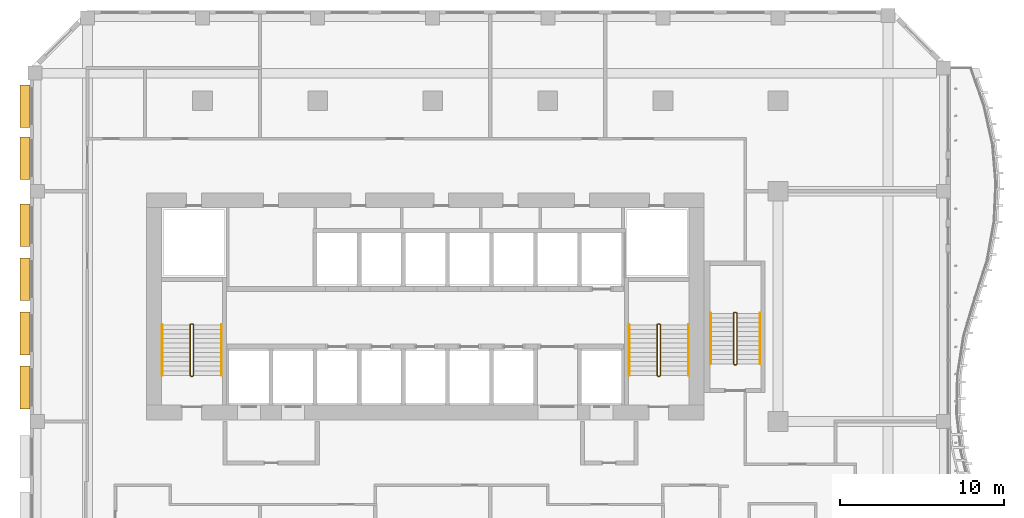
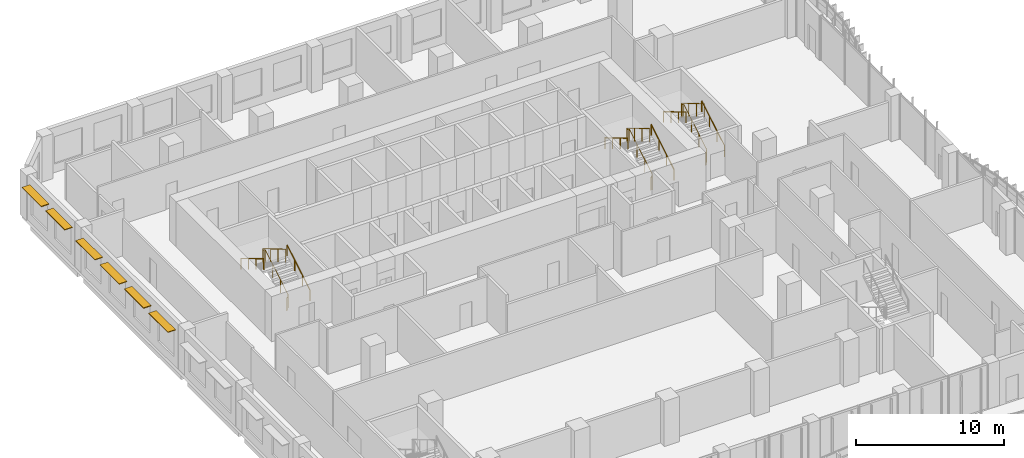
# One storey, part 24 of 25: 9 railings, 6 shading devices.
"""IFC4 building model written with IfcOpenShell, lengths in metres."""

from ifc_helpers import new_model, si_unit, direction, frame, origin, origin_2d, place, context, subcontext, project, spatial, rectangle, circle, extrude, source, transform, mapped, material, layer, layer_set, type_object, element, save


model = new_model("IFC4")

# Units and contexts
model_context = context("Model", 3, precision=1e-05, world=origin(), true_north=direction((0.0, 1.0)))
body_context = subcontext(model_context, "Body", "Model", "MODEL_VIEW")
ifc_project = project(units=[si_unit("LENGTHUNIT", "METRE"), si_unit("AREAUNIT", "SQUARE_METRE"), si_unit("VOLUMEUNIT", "CUBIC_METRE"), si_unit("PLANEANGLEUNIT", "RADIAN"), si_unit("MASSUNIT", "GRAM", prefix="KILO")], contexts=[model_context])

# Site, building, storey
site_placement = place(None, origin())
site = spatial("IfcSite", under=ifc_project, at=site_placement, CompositionType="ELEMENT")
building_placement = place(site_placement, origin())
building = spatial("IfcBuilding", under=site, at=building_placement, Name="Kilnfold Tower and Market Hall", CompositionType="ELEMENT")
storey_placement = place(building_placement, frame((0.0, 0.0, 120.60009765625)))
storey = spatial("IfcBuildingStorey", under=building, at=storey_placement, Name="L28", CompositionType="ELEMENT", Elevation=120.60009765625)

# Railings
ifc_material_1 = material(Name="Stainless steel 316", Category="steel")
railing_type_1 = type_object("IfcRailingType", Name="CORE STAIR GUARD 1100", PredefinedType="GUARDRAIL", material=ifc_material_1)
railing_1_placement = place(storey_placement, frame((-13.199951171875, 10.75, 0.0)))
element("IfcRailing", 1, at=railing_1_placement, inside=storey, type_object=railing_type_1, Name="L28 ST1 stair guard 1", PredefinedType="GUARDRAIL", context=body_context, shape_type="SweptSolid", body=[
    extrude(circle(Radius=0.02392578125, at=origin_2d()), frame((0.0, 0.0, 1.076171875), z_axis=(1.0, 0.0, 0.0), x_axis=(0.0, 1.0, 0.0)), (0.0, 0.0, 1.0), 0.099853515625),
    extrude(circle(Radius=0.02392578125, at=origin_2d()), frame((0.099853515625, 0.0, 1.076171875), z_axis=(0.27662974545, 0.27662974545, 0.920299933644), x_axis=(-0.707106781187, 0.707106781187, 0.0)), (0.0, 0.0, 1.0), 0.180908203125),
    extrude(circle(Radius=0.02392578125, at=origin_2d()), frame((0.14990234375, 0.050048828125, 1.24267578125), z_axis=(0.0, 0.859260807169, 0.511537745687), x_axis=(-1.0, 0.0, 0.0)), (0.0, 0.0, 1.0), 3.584228515625),
    extrude(circle(Radius=0.02392578125, at=origin_2d()), frame((0.14990234375, 3.1298828125, 3.076171875), z_axis=(-0.707106781187, 0.707106781187, 0.0), x_axis=(-0.707106781187, -0.707106781187, 0.0)), (0.0, 0.0, 1.0), 0.07080078125),
    extrude(circle(Radius=0.02392578125, at=origin_2d()), frame((0.099853515625, 3.179931640625, 3.076171875), z_axis=(-1.0, 0.0, 0.0), x_axis=(0.0, -1.0, 0.0)), (0.0, 0.0, 1.0), 0.099853515625),
    extrude(circle(Radius=0.02392578125, at=origin_2d()), frame((0.0, 3.179931640625, 3.076171875), z_axis=(-0.27662974545, -0.27662974545, 0.920299933644), x_axis=(0.707106781187, -0.707106781187, 0.0)), (0.0, 0.0, 1.0), 0.180908203125),
    extrude(circle(Radius=0.02392578125, at=origin_2d()), frame((-0.050048828125, 3.1298828125, 3.24267578125), z_axis=(0.0, -0.859260807169, 0.511537745687), x_axis=(1.0, 0.0, 0.0)), (0.0, 0.0, 1.0), 3.584228515625),
    extrude(circle(Radius=0.02099609375, at=origin_2d()), origin(), (0.0, 0.0, 1.0), 1.052001953125),
    extrude(circle(Radius=0.02099609375, at=origin_2d()), frame((0.099853515625, 0.0, 0.0)), (0.0, 0.0, 1.0), 1.052001953125),
    extrude(circle(Radius=0.02099609375, at=origin_2d()), frame((0.14990234375, 0.050048828125, 0.16650390625)), (0.0, 0.0, 1.0), 1.052001953125),
    extrude(circle(Radius=0.02099609375, at=origin_2d()), frame((0.14990234375, 1.07666015625, 0.777587890625)), (0.0, 0.0, 1.0), 1.052001953125),
    extrude(circle(Radius=0.02099609375, at=origin_2d()), frame((0.14990234375, 2.103271484375, 1.388916015625)), (0.0, 0.0, 1.0), 1.052001953125),
    extrude(circle(Radius=0.02099609375, at=origin_2d()), frame((0.14990234375, 3.1298828125, 2.0)), (0.0, 0.0, 1.0), 1.052001953125),
    extrude(circle(Radius=0.02099609375, at=origin_2d()), frame((0.099853515625, 3.179931640625, 2.0)), (0.0, 0.0, 1.0), 1.052001953125),
    extrude(circle(Radius=0.02099609375, at=origin_2d()), frame((0.0, 3.179931640625, 2.0)), (0.0, 0.0, 1.0), 1.052001953125),
    extrude(circle(Radius=0.02099609375, at=origin_2d()), frame((-0.050048828125, 3.1298828125, 2.16650390625)), (0.0, 0.0, 1.0), 1.052001953125),
    extrude(circle(Radius=0.02099609375, at=origin_2d()), frame((-0.050048828125, 2.103271484375, 2.777587890625)), (0.0, 0.0, 1.0), 1.052001953125),
    extrude(circle(Radius=0.02099609375, at=origin_2d()), frame((-0.050048828125, 1.07666015625, 3.388916015625)), (0.0, 0.0, 1.0), 1.052001953125),
    extrude(circle(Radius=0.02099609375, at=origin_2d()), frame((-0.050048828125, 0.050048828125, 4.0)), (0.0, 0.0, 1.0), 1.052001953125),
])
railing_2_placement = place(storey_placement, frame((15.199951171875, 10.75, 0.0)))
element("IfcRailing", 2, at=railing_2_placement, inside=storey, type_object=railing_type_1, Name="L28 ST2 stair guard 1", PredefinedType="GUARDRAIL", context=body_context, shape_type="SweptSolid", body=[
    extrude(circle(Radius=0.02392578125, at=origin_2d()), frame((0.0, 0.0, 1.076171875), z_axis=(1.0, 0.0, 0.0), x_axis=(0.0, 1.0, 0.0)), (0.0, 0.0, 1.0), 0.10009765625),
    extrude(circle(Radius=0.02392578125, at=origin_2d()), frame((0.10009765625, 0.0, 1.076171875), z_axis=(0.27662974545, 0.27662974545, 0.920299933644), x_axis=(-0.707106781187, 0.707106781187, 0.0)), (0.0, 0.0, 1.0), 0.180908203125),
    extrude(circle(Radius=0.02392578125, at=origin_2d()), frame((0.150146484375, 0.050048828125, 1.24267578125), z_axis=(0.0, 0.859260807169, 0.511537745687), x_axis=(-1.0, 0.0, 0.0)), (0.0, 0.0, 1.0), 3.584228515625),
    extrude(circle(Radius=0.02392578125, at=origin_2d()), frame((0.150146484375, 3.1298828125, 3.076171875), z_axis=(-0.707106781187, 0.707106781187, 0.0), x_axis=(-0.707106781187, -0.707106781187, 0.0)), (0.0, 0.0, 1.0), 0.07080078125),
    extrude(circle(Radius=0.02392578125, at=origin_2d()), frame((0.10009765625, 3.179931640625, 3.076171875), z_axis=(-1.0, 0.0, 0.0), x_axis=(0.0, -1.0, 0.0)), (0.0, 0.0, 1.0), 0.10009765625),
    extrude(circle(Radius=0.02392578125, at=origin_2d()), frame((0.0, 3.179931640625, 3.076171875), z_axis=(-0.27662974545, -0.27662974545, 0.920299933644), x_axis=(0.707106781187, -0.707106781187, 0.0)), (0.0, 0.0, 1.0), 0.180908203125),
    extrude(circle(Radius=0.02392578125, at=origin_2d()), frame((-0.050048828125, 3.1298828125, 3.24267578125), z_axis=(0.0, -0.859260807169, 0.511537745687), x_axis=(1.0, 0.0, 0.0)), (0.0, 0.0, 1.0), 3.584228515625),
    extrude(circle(Radius=0.02099609375, at=origin_2d()), origin(), (0.0, 0.0, 1.0), 1.052001953125),
    extrude(circle(Radius=0.02099609375, at=origin_2d()), frame((0.10009765625, 0.0, 0.0)), (0.0, 0.0, 1.0), 1.052001953125),
    extrude(circle(Radius=0.02099609375, at=origin_2d()), frame((0.150146484375, 0.050048828125, 0.16650390625)), (0.0, 0.0, 1.0), 1.052001953125),
    extrude(circle(Radius=0.02099609375, at=origin_2d()), frame((0.150146484375, 1.07666015625, 0.777587890625)), (0.0, 0.0, 1.0), 1.052001953125),
    extrude(circle(Radius=0.02099609375, at=origin_2d()), frame((0.150146484375, 2.103271484375, 1.388916015625)), (0.0, 0.0, 1.0), 1.052001953125),
    extrude(circle(Radius=0.02099609375, at=origin_2d()), frame((0.150146484375, 3.1298828125, 2.0)), (0.0, 0.0, 1.0), 1.052001953125),
    extrude(circle(Radius=0.02099609375, at=origin_2d()), frame((0.10009765625, 3.179931640625, 2.0)), (0.0, 0.0, 1.0), 1.052001953125),
    extrude(circle(Radius=0.02099609375, at=origin_2d()), frame((0.0, 3.179931640625, 2.0)), (0.0, 0.0, 1.0), 1.052001953125),
    extrude(circle(Radius=0.02099609375, at=origin_2d()), frame((-0.050048828125, 3.1298828125, 2.16650390625)), (0.0, 0.0, 1.0), 1.052001953125),
    extrude(circle(Radius=0.02099609375, at=origin_2d()), frame((-0.050048828125, 2.103271484375, 2.777587890625)), (0.0, 0.0, 1.0), 1.052001953125),
    extrude(circle(Radius=0.02099609375, at=origin_2d()), frame((-0.050048828125, 1.07666015625, 3.388916015625)), (0.0, 0.0, 1.0), 1.052001953125),
    extrude(circle(Radius=0.02099609375, at=origin_2d()), frame((-0.050048828125, 0.050048828125, 4.0)), (0.0, 0.0, 1.0), 1.052001953125),
])
railing_3_placement = place(storey_placement, frame((19.85009765625, 11.449951171875, 0.0)))
element("IfcRailing", 3, at=railing_3_placement, inside=storey, type_object=railing_type_1, Name="L28 ST5 stair guard 1", PredefinedType="GUARDRAIL", context=body_context, shape_type="SweptSolid", body=[
    extrude(circle(Radius=0.02392578125, at=origin_2d()), frame((0.0, 0.0, 1.076171875), z_axis=(1.0, 0.0, 0.0), x_axis=(0.0, 1.0, 0.0)), (0.0, 0.0, 1.0), 0.099853515625),
    extrude(circle(Radius=0.02392578125, at=origin_2d()), frame((0.099853515625, 0.0, 1.076171875), z_axis=(0.27662974545, 0.27662974545, 0.920299933644), x_axis=(-0.707106781187, 0.707106781187, 0.0)), (0.0, 0.0, 1.0), 0.180908203125),
    extrude(circle(Radius=0.02392578125, at=origin_2d()), frame((0.14990234375, 0.050048828125, 1.24267578125), z_axis=(0.0, 0.85927862911, 0.511507807912), x_axis=(-1.0, 0.0, 0.0)), (0.0, 0.0, 1.0), 3.58447265625),
    extrude(circle(Radius=0.02392578125, at=origin_2d()), frame((0.14990234375, 3.130126953125, 3.076171875), z_axis=(-0.708833529934, 0.705375805398, 0.0), x_axis=(-0.705375805398, -0.708833529934, 0.0)), (0.0, 0.0, 1.0), 0.070556640625),
    extrude(circle(Radius=0.02392578125, at=origin_2d()), frame((0.099853515625, 3.179931640625, 3.076171875), z_axis=(-1.0, 0.0, 0.0), x_axis=(0.0, -1.0, 0.0)), (0.0, 0.0, 1.0), 0.099853515625),
    extrude(circle(Radius=0.02392578125, at=origin_2d()), frame((0.0, 3.179931640625, 3.076171875), z_axis=(-0.276732813696, -0.275382897532, 0.920642824102), x_axis=(0.705375805398, -0.708833529934, 0.0)), (0.0, 0.0, 1.0), 0.180908203125),
    extrude(circle(Radius=0.02392578125, at=origin_2d()), frame((-0.050048828125, 3.130126953125, 3.24267578125), z_axis=(0.0, -0.85927862911, 0.511507807912), x_axis=(1.0, 0.0, 0.0)), (0.0, 0.0, 1.0), 3.58447265625),
    extrude(circle(Radius=0.02099609375, at=origin_2d()), origin(), (0.0, 0.0, 1.0), 1.052001953125),
    extrude(circle(Radius=0.02099609375, at=origin_2d()), frame((0.099853515625, 0.0, 0.0)), (0.0, 0.0, 1.0), 1.052001953125),
    extrude(circle(Radius=0.02099609375, at=origin_2d()), frame((0.14990234375, 0.050048828125, 0.16650390625)), (0.0, 0.0, 1.0), 1.052001953125),
    extrude(circle(Radius=0.02099609375, at=origin_2d()), frame((0.14990234375, 1.07666015625, 0.777587890625)), (0.0, 0.0, 1.0), 1.052001953125),
    extrude(circle(Radius=0.02099609375, at=origin_2d()), frame((0.14990234375, 2.103515625, 1.388916015625)), (0.0, 0.0, 1.0), 1.052001953125),
    extrude(circle(Radius=0.02099609375, at=origin_2d()), frame((0.14990234375, 3.130126953125, 2.0)), (0.0, 0.0, 1.0), 1.052001953125),
    extrude(circle(Radius=0.02099609375, at=origin_2d()), frame((0.099853515625, 3.179931640625, 2.0)), (0.0, 0.0, 1.0), 1.052001953125),
    extrude(circle(Radius=0.02099609375, at=origin_2d()), frame((0.0, 3.179931640625, 2.0)), (0.0, 0.0, 1.0), 1.052001953125),
    extrude(circle(Radius=0.02099609375, at=origin_2d()), frame((-0.050048828125, 3.130126953125, 2.16650390625)), (0.0, 0.0, 1.0), 1.052001953125),
    extrude(circle(Radius=0.02099609375, at=origin_2d()), frame((-0.050048828125, 2.103515625, 2.777587890625)), (0.0, 0.0, 1.0), 1.052001953125),
    extrude(circle(Radius=0.02099609375, at=origin_2d()), frame((-0.050048828125, 1.07666015625, 3.388916015625)), (0.0, 0.0, 1.0), 1.052001953125),
    extrude(circle(Radius=0.02099609375, at=origin_2d()), frame((-0.050048828125, 0.050048828125, 4.0)), (0.0, 0.0, 1.0), 1.052001953125),
])
ifc_material_2 = material(Name="Stainless steel 316", Category="steel")
railing_type_2 = type_object("IfcRailingType", Name="CORE STAIR HANDRAIL 900", PredefinedType="HANDRAIL", material=ifc_material_2)
railing_4_placement = place(storey_placement, frame((-11.35009765625, 10.800048828125, 0.16650390625)))
element("IfcRailing", 4, at=railing_4_placement, inside=storey, type_object=railing_type_2, Name="L28 ST1 stair handrail 1", PredefinedType="HANDRAIL", context=body_context, shape_type="SweptSolid", body=[
    extrude(circle(Radius=0.02392578125, at=origin_2d()), frame((0.0, 0.0, 0.8759765625), z_axis=(0.0, 0.859260807169, 0.511537745687), x_axis=(-1.0, 0.0, 0.0)), (0.0, 0.0, 1.0), 3.584228515625),
    extrude(circle(Radius=0.02099609375, at=origin_2d()), origin(), (0.0, 0.0, 1.0), 0.851806640625),
    extrude(circle(Radius=0.02099609375, at=origin_2d()), frame((0.0, 1.026611328125, 0.611083984375)), (0.0, 0.0, 1.0), 0.851806640625),
    extrude(circle(Radius=0.02099609375, at=origin_2d()), frame((0.0, 2.05322265625, 1.222412109375)), (0.0, 0.0, 1.0), 0.851806640625),
    extrude(circle(Radius=0.02099609375, at=origin_2d()), frame((0.0, 3.079833984375, 1.83349609375)), (0.0, 0.0, 1.0), 0.851806640625),
])
railing_5_placement = place(storey_placement, frame((-14.949951171875, 13.8798828125, 2.16650390625)))
element("IfcRailing", 5, at=railing_5_placement, inside=storey, type_object=railing_type_2, Name="L28 ST1 stair handrail 2", PredefinedType="HANDRAIL", context=body_context, shape_type="SweptSolid", body=[
    extrude(circle(Radius=0.02392578125, at=origin_2d()), frame((0.0, 0.0, 0.8759765625), z_axis=(0.0, -0.859260807169, 0.511537745687), x_axis=(1.0, 0.0, 0.0)), (0.0, 0.0, 1.0), 3.584228515625),
    extrude(circle(Radius=0.02099609375, at=origin_2d()), origin(), (0.0, 0.0, 1.0), 0.851806640625),
    extrude(circle(Radius=0.02099609375, at=origin_2d()), frame((0.0, -1.026611328125, 0.611083984375)), (0.0, 0.0, 1.0), 0.851806640625),
    extrude(circle(Radius=0.02099609375, at=origin_2d()), frame((0.0, -2.05322265625, 1.222412109375)), (0.0, 0.0, 1.0), 0.851806640625),
    extrude(circle(Radius=0.02099609375, at=origin_2d()), frame((0.0, -3.079833984375, 1.83349609375)), (0.0, 0.0, 1.0), 0.851806640625),
])
railing_6_placement = place(storey_placement, frame((17.050048828125, 10.800048828125, 0.16650390625)))
element("IfcRailing", 6, at=railing_6_placement, inside=storey, type_object=railing_type_2, Name="L28 ST2 stair handrail 1", PredefinedType="HANDRAIL", context=body_context, shape_type="SweptSolid", body=[
    extrude(circle(Radius=0.02392578125, at=origin_2d()), frame((0.0, 0.0, 0.8759765625), z_axis=(0.0, 0.859260807169, 0.511537745687), x_axis=(-1.0, 0.0, 0.0)), (0.0, 0.0, 1.0), 3.584228515625),
    extrude(circle(Radius=0.02099609375, at=origin_2d()), origin(), (0.0, 0.0, 1.0), 0.851806640625),
    extrude(circle(Radius=0.02099609375, at=origin_2d()), frame((0.0, 1.026611328125, 0.611083984375)), (0.0, 0.0, 1.0), 0.851806640625),
    extrude(circle(Radius=0.02099609375, at=origin_2d()), frame((0.0, 2.05322265625, 1.222412109375)), (0.0, 0.0, 1.0), 0.851806640625),
    extrude(circle(Radius=0.02099609375, at=origin_2d()), frame((0.0, 3.079833984375, 1.83349609375)), (0.0, 0.0, 1.0), 0.851806640625),
])
railing_7_placement = place(storey_placement, frame((13.449951171875, 13.8798828125, 2.16650390625)))
element("IfcRailing", 7, at=railing_7_placement, inside=storey, type_object=railing_type_2, Name="L28 ST2 stair handrail 2", PredefinedType="HANDRAIL", context=body_context, shape_type="SweptSolid", body=[
    extrude(circle(Radius=0.02392578125, at=origin_2d()), frame((0.0, 0.0, 0.8759765625), z_axis=(0.0, -0.859260807169, 0.511537745687), x_axis=(1.0, 0.0, 0.0)), (0.0, 0.0, 1.0), 3.584228515625),
    extrude(circle(Radius=0.02099609375, at=origin_2d()), origin(), (0.0, 0.0, 1.0), 0.851806640625),
    extrude(circle(Radius=0.02099609375, at=origin_2d()), frame((0.0, -1.026611328125, 0.611083984375)), (0.0, 0.0, 1.0), 0.851806640625),
    extrude(circle(Radius=0.02099609375, at=origin_2d()), frame((0.0, -2.05322265625, 1.222412109375)), (0.0, 0.0, 1.0), 0.851806640625),
    extrude(circle(Radius=0.02099609375, at=origin_2d()), frame((0.0, -3.079833984375, 1.83349609375)), (0.0, 0.0, 1.0), 0.851806640625),
])
railing_8_placement = place(storey_placement, frame((21.39990234375, 11.5, 0.16650390625)))
element("IfcRailing", 8, at=railing_8_placement, inside=storey, type_object=railing_type_2, Name="L28 ST5 stair handrail 1", PredefinedType="HANDRAIL", context=body_context, shape_type="SweptSolid", body=[
    extrude(circle(Radius=0.02392578125, at=origin_2d()), frame((0.0, 0.0, 0.8759765625), z_axis=(0.0, 0.85927862911, 0.511507807912), x_axis=(-1.0, 0.0, 0.0)), (0.0, 0.0, 1.0), 3.58447265625),
    extrude(circle(Radius=0.02099609375, at=origin_2d()), origin(), (0.0, 0.0, 1.0), 0.851806640625),
    extrude(circle(Radius=0.02099609375, at=origin_2d()), frame((0.0, 1.026611328125, 0.611083984375)), (0.0, 0.0, 1.0), 0.851806640625),
    extrude(circle(Radius=0.02099609375, at=origin_2d()), frame((0.0, 2.053466796875, 1.222412109375)), (0.0, 0.0, 1.0), 0.851806640625),
    extrude(circle(Radius=0.02099609375, at=origin_2d()), frame((0.0, 3.080078125, 1.83349609375)), (0.0, 0.0, 1.0), 0.851806640625),
])
railing_9_placement = place(storey_placement, frame((18.39990234375, 14.580078125, 2.16650390625)))
element("IfcRailing", 9, at=railing_9_placement, inside=storey, type_object=railing_type_2, Name="L28 ST5 stair handrail 2", PredefinedType="HANDRAIL", context=body_context, shape_type="SweptSolid", body=[
    extrude(circle(Radius=0.02392578125, at=origin_2d()), frame((0.0, 0.0, 0.8759765625), z_axis=(0.0, -0.85927862911, 0.511507807912), x_axis=(1.0, 0.0, 0.0)), (0.0, 0.0, 1.0), 3.58447265625),
    extrude(circle(Radius=0.02099609375, at=origin_2d()), origin(), (0.0, 0.0, 1.0), 0.851806640625),
    extrude(circle(Radius=0.02099609375, at=origin_2d()), frame((0.0, -1.026611328125, 0.611083984375)), (0.0, 0.0, 1.0), 0.851806640625),
    extrude(circle(Radius=0.02099609375, at=origin_2d()), frame((0.0, -2.053466796875, 1.222412109375)), (0.0, 0.0, 1.0), 0.851806640625),
    extrude(circle(Radius=0.02099609375, at=origin_2d()), frame((0.0, -3.080078125, 1.83349609375)), (0.0, 0.0, 1.0), 0.851806640625),
])

# Shading devices
ifc_material_3 = material(Name="Terracotta", Category="masonry")
ifc_layer = layer(ifc_material_3, 0.06005859375)
ifc_layer_set = layer_set([ifc_layer], Name="Terracotta")
shading_device_type = type_object("IfcShadingDeviceType", Name="SUNSHADE BLADE 600", PredefinedType="USERDEFINED", material=ifc_layer_set)
shared_shape = source(origin(), body_context, "Body", "SweptSolid", [
    extrude(rectangle(XDim=2.60009765625, YDim=0.60009765625, at=origin_2d()), origin(), (0.0, 0.0, 1.0), 0.06005859375),
])
for number, where, z_axis, x_axis, name in (
    (10, (-23.300048828125, 27.173828125, 3.02978515625), (0.0, 0.0, 1.0), (0.0, -1.0, 0.0), "Sunshade L28 W"),
    (11, (-23.300048828125, 24.008056640625, 3.02978515625), (0.0, 0.0, 1.0), (0.0, -1.0, 0.0), "Sunshade L28 W"),
    (12, (-23.300048828125, 19.93115234375, 3.02978515625), (0.0, 0.0, 1.0), (0.0, -1.0, 0.0), "Sunshade L28 W"),
    (13, (-23.300048828125, 16.643798828125, 3.02978515625), (0.0, 0.0, 1.0), (0.0, -1.0, 0.0), "Sunshade L28 W"),
    (14, (-23.300048828125, 13.356201171875, 3.02978515625), (0.0, 0.0, 1.0), (0.0, -1.0, 0.0), "Sunshade L28 W"),
    (15, (-23.300048828125, 10.06884765625, 3.02978515625), (0.0, 0.0, 1.0), (0.0, -1.0, 0.0), "Sunshade L28 W"),
):
    element("IfcShadingDevice", number, at=place(storey_placement, frame(where, z_axis=z_axis, x_axis=x_axis)), inside=storey, type_object=shading_device_type, Name=name, ObjectType="SUNSHADE", PredefinedType="USERDEFINED", context=body_context, shape_type="MappedRepresentation", body=[
        mapped(shared_shape, transform((0.0, 0.0, 0.0))),
    ])

save(model, "model.ifc")
